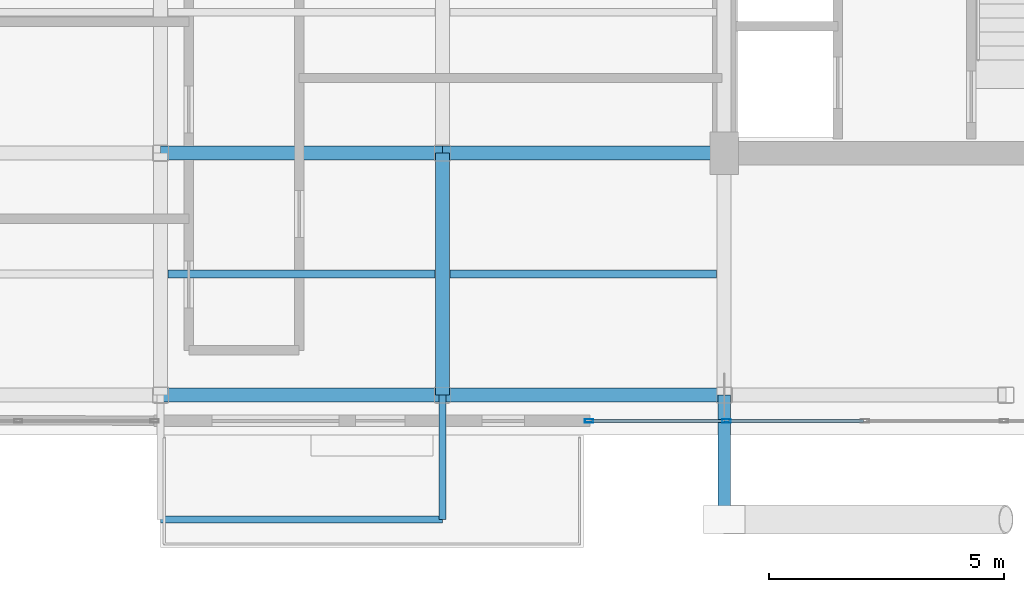
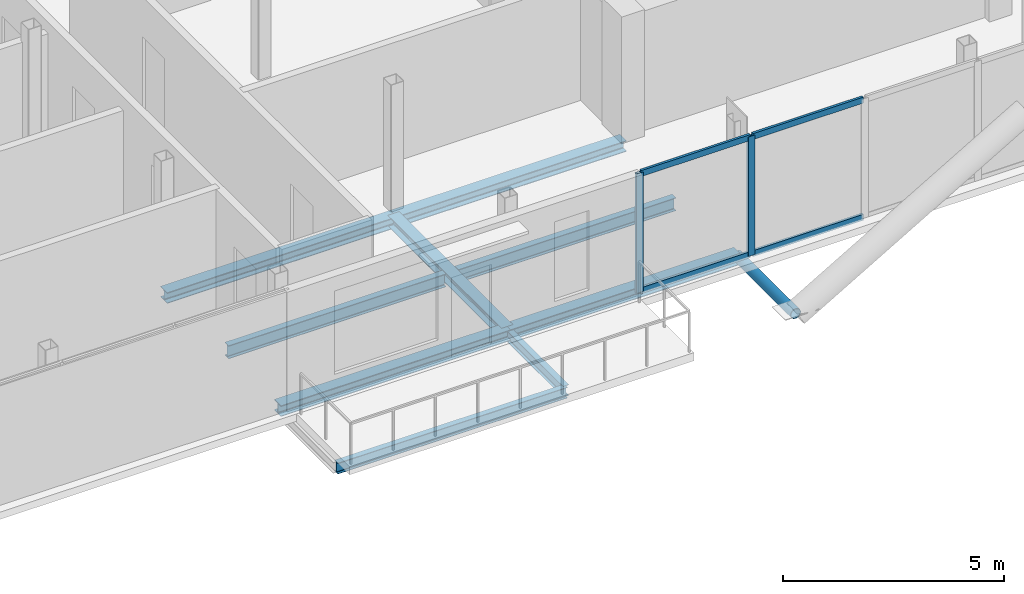
# One storey, part 4 of 18: 9 beams, 7 members, 1 element without a shape of its own.
"""IFC4 building model written with IfcOpenShell, lengths in metres."""

from ifc_helpers import new_model, si_unit, direction, frame, origin, origin_2d, place, context, subcontext, project, spatial, hollow_rectangle, hollow_circle, i_section, extrude, material, layer, layer_set, material_profile, profile_set, type_object, element, aggregate, save


model = new_model("IFC4")

# Units and contexts
model_context = context("Model", 3, precision=1e-05, world=origin(), true_north=direction((0.0, 1.0)))
body_context = subcontext(model_context, "Body", "Model", "MODEL_VIEW")
ifc_project = project(units=[si_unit("LENGTHUNIT", "METRE"), si_unit("AREAUNIT", "SQUARE_METRE"), si_unit("VOLUMEUNIT", "CUBIC_METRE"), si_unit("PLANEANGLEUNIT", "RADIAN"), si_unit("MASSUNIT", "GRAM", prefix="KILO"), si_unit("THERMODYNAMICTEMPERATUREUNIT", "KELVIN"), si_unit("POWERUNIT", "WATT")], contexts=[model_context])

# Site, building, storey
site_placement = place(None, origin())
site = spatial("IfcSite", under=ifc_project, at=site_placement, CompositionType="ELEMENT")
building_placement = place(site_placement, origin())
building = spatial("IfcBuilding", under=site, at=building_placement, Name="Svarakhadi Broadcast Tower", CompositionType="ELEMENT")
storey_placement = place(building_placement, frame((0.0, 0.0, 281.699951171875)))
storey = spatial("IfcBuildingStorey", under=building, at=storey_placement, Name="L71", CompositionType="ELEMENT", Elevation=281.699951171875)

# Beams
ifc_material_1 = material(Name="Steel S355J2 (IS 2062 E350C)", Category="steel")
ifc_material_profile_1 = material_profile(ifc_material_1, i_section(OverallWidth=0.169921875, OverallDepth=0.360107421875, WebThickness=0.008056640625, FlangeThickness=0.0126953125, FilletRadius=0.01806640625, at=origin_2d()), Name="NPB 360x170x57")
ifc_profile_set_1 = profile_set([ifc_material_profile_1], Name="Steel S355J2 (IS 2062 E350C)")
beam_type_1 = type_object("IfcBeamType", Name="Beam_NPB360", PredefinedType="BEAM", material=ifc_profile_set_1)
for number, where, z_axis, x_axis, name in (
    (1, (12.159912109375, 3.425048828125, -0.3798828125), (1.0, 0.0, 0.0), (0.0, 1.0, 0.0), "L71 Secondary Composite Beam SB007"),
    (2, (18.159912109375, 3.425048828125, -0.3798828125), (1.0, 0.0, 0.0), (0.0, 1.0, 0.0), "L71 Secondary Composite Beam SB010"),
):
    element("IfcBeam", number, at=place(storey_placement, frame(where, z_axis=z_axis, x_axis=x_axis)), inside=storey, type_object=beam_type_1, Name=name, PredefinedType="BEAM", context=body_context, shape_type="SweptSolid", body=[
        extrude(i_section(OverallWidth=0.169921875, OverallDepth=0.360107421875, WebThickness=0.008056640625, FlangeThickness=0.0126953125, FilletRadius=0.01806640625, at=origin_2d()), origin(), (0.0, 0.0, 1.0), 5.68017578125),
    ])

# Curtain wall, members
ifc_material_2 = material(Name="Anodised Bronze Aluminium AA 6063-T6", Category="aluminium")
ifc_layer = layer(ifc_material_2, 0.179931640625)
ifc_layer_set = layer_set([ifc_layer], Name="Anodised Bronze Aluminium AA 6063-T6")
curtain_wall_type = type_object("IfcCurtainWallType", Name="CW_Sys_05", PredefinedType="NOTDEFINED", material=ifc_layer_set)
curtain_wall_placement = place(storey_placement, origin())
curtain_wall = element("IfcCurtainWall", 3, at=curtain_wall_placement, inside=storey, type_object=curtain_wall_type, Name="L71 South Curtain Wall 16", PredefinedType="NOTDEFINED")
ifc_material_profile_2 = material_profile(ifc_material_2, hollow_rectangle(XDim=0.070068359375, YDim=0.179931640625, WallThickness=0.005615234375, at=origin_2d()), Name="ALU MULLION 180x70x6")
ifc_profile_set_2 = profile_set([ifc_material_profile_2], Name="Anodised Bronze Aluminium AA 6063-T6")
member_type_1 = type_object("IfcMemberType", Name="CW_Sys_05_Mul", PredefinedType="MULLION", material=ifc_profile_set_2)
member_1_placement = place(storey_placement, frame((24.044921875, 0.300048828125, 0.0), z_axis=(0.0, 0.0, 1.0), x_axis=(0.0, -1.0, 0.0)))
member_1 = element("IfcMember", 4, at=member_1_placement, type_object=member_type_1, Name="CW-05 mullion 4", PredefinedType="MULLION", context=body_context, shape_type="SweptSolid", body=[
    extrude(hollow_rectangle(XDim=0.070068359375, YDim=0.179931640625, WallThickness=0.005615234375, at=origin_2d()), origin(), (0.0, 0.0, 1.0), 3.300048828125),
])
member_2_placement = place(storey_placement, frame((21.125, 0.300048828125, 0.0), z_axis=(0.0, 0.0, 1.0), x_axis=(0.0, -1.0, 0.0)))
member_2 = element("IfcMember", 5, at=member_2_placement, type_object=member_type_1, Name="CW-05 mullion 5", PredefinedType="MULLION", context=body_context, shape_type="SweptSolid", body=[
    extrude(hollow_rectangle(XDim=0.070068359375, YDim=0.179931640625, WallThickness=0.005615234375, at=origin_2d()), origin(), (0.0, 0.0, 1.0), 3.300048828125),
])
ifc_material_profile_3 = material_profile(ifc_material_2, hollow_rectangle(XDim=0.06494140625, YDim=0.1650390625, WallThickness=0.0048828125, at=origin_2d()), Name="ALU TRANSOM 165x65x5")
ifc_profile_set_3 = profile_set([ifc_material_profile_3], Name="Anodised Bronze Aluminium AA 6063-T6")
member_type_2 = type_object("IfcMemberType", Name="CW_Sys_05_Trn", PredefinedType="USERDEFINED", material=ifc_profile_set_3)
member_3_placement = place(storey_placement, frame((26.965087890625, 0.300048828125, 0.032470703125), z_axis=(-1.0, 0.0, 0.0), x_axis=(0.0, -1.0, 0.0)))
member_3 = element("IfcMember", 6, at=member_3_placement, type_object=member_type_2, Name="CW-05 transom 3.1", ObjectType="TRANSOM", PredefinedType="USERDEFINED", context=body_context, shape_type="SweptSolid", body=[
    extrude(hollow_rectangle(XDim=0.06494140625, YDim=0.1650390625, WallThickness=0.0048828125, at=origin_2d()), origin(), (0.0, 0.0, 1.0), 2.885009765625),
])
member_4_placement = place(storey_placement, frame((26.965087890625, 0.300048828125, 3.267578125), z_axis=(-1.0, 0.0, 0.0), x_axis=(0.0, -1.0, 0.0)))
member_4 = element("IfcMember", 7, at=member_4_placement, type_object=member_type_2, Name="CW-05 transom 3.2", ObjectType="TRANSOM", PredefinedType="USERDEFINED", context=body_context, shape_type="SweptSolid", body=[
    extrude(hollow_rectangle(XDim=0.06494140625, YDim=0.1650390625, WallThickness=0.0048828125, at=origin_2d()), origin(), (0.0, 0.0, 1.0), 2.885009765625),
])
member_5_placement = place(storey_placement, frame((24.010009765625, 0.300048828125, 0.032470703125), z_axis=(-1.0, 0.0, 0.0), x_axis=(0.0, -1.0, 0.0)))
member_5 = element("IfcMember", 8, at=member_5_placement, type_object=member_type_2, Name="CW-05 transom 4.1", ObjectType="TRANSOM", PredefinedType="USERDEFINED", context=body_context, shape_type="SweptSolid", body=[
    extrude(hollow_rectangle(XDim=0.06494140625, YDim=0.1650390625, WallThickness=0.0048828125, at=origin_2d()), origin(), (0.0, 0.0, 1.0), 2.85009765625),
])
member_6_placement = place(storey_placement, frame((24.010009765625, 0.300048828125, 3.267578125), z_axis=(-1.0, 0.0, 0.0), x_axis=(0.0, -1.0, 0.0)))
member_6 = element("IfcMember", 9, at=member_6_placement, type_object=member_type_2, Name="CW-05 transom 4.2", ObjectType="TRANSOM", PredefinedType="USERDEFINED", context=body_context, shape_type="SweptSolid", body=[
    extrude(hollow_rectangle(XDim=0.06494140625, YDim=0.1650390625, WallThickness=0.0048828125, at=origin_2d()), origin(), (0.0, 0.0, 1.0), 2.85009765625),
])
aggregate(curtain_wall, [member_1, member_2, member_3, member_4, member_5, member_6])

# Member
ifc_material_3 = material(Name="Steel S460ML (IS 2062 E450BR)", Category="steel")
ifc_material_profile_4 = material_profile(ifc_material_3, hollow_circle(Radius=0.136474609375, WallThickness=0.012451171875, at=origin_2d()), Name="CHS 273x12.5")
ifc_profile_set_4 = profile_set([ifc_material_profile_4], Name="Steel S460ML (IS 2062 E450BR)")
member_type_3 = type_object("IfcMemberType", Name="Exo_Radial_Strut_Z3", PredefinedType="STRUT", material=ifc_profile_set_4)
member_7_placement = place(storey_placement, frame((24.0, -1.800048828125, -0.33642578125), z_axis=(0.0, 1.0, 0.0), x_axis=(-1.0, 0.0, 0.0)))
element("IfcMember", 10, at=member_7_placement, inside=storey, type_object=member_type_3, Name="L71 Exoskeleton Radial Tie Strut S01", PredefinedType="STRUT", context=body_context, shape_type="SweptSolid", body=[
    extrude(hollow_circle(Radius=0.136474609375, WallThickness=0.012451171875, at=origin_2d()), origin(), (0.0, 0.0, 1.0), 2.650146484375),
])

# Beams
ifc_material_profile_5 = material_profile(ifc_material_1, i_section(OverallWidth=0.300048828125, OverallDepth=0.300048828125, WebThickness=0.010986328125, FlangeThickness=0.01904296875, FilletRadius=0.027099609375, at=origin_2d()), Name="WPB 300x300x117")
ifc_profile_set_5 = profile_set([ifc_material_profile_5], Name="Steel S355J2 (IS 2062 E350C)")
beam_type_2 = type_object("IfcBeamType", Name="Girder_WPB300", PredefinedType="USERDEFINED", material=ifc_profile_set_5)
for number, where, z_axis, x_axis, name in (
    (11, (12.0, 0.85009765625, -0.349853515625), (1.0, 0.0, 0.0), (0.0, 1.0, 0.0), "L71 Primary E-W Girder G005"),
    (12, (18.0, 0.85009765625, -0.349853515625), (1.0, 0.0, 0.0), (0.0, 1.0, 0.0), "L71 Primary E-W Girder G006"),
    (13, (12.0, 6.0, -0.349853515625), (1.0, 0.0, 0.0), (0.0, 1.0, 0.0), "L71 Primary E-W Girder G010"),
    (14, (18.0, 6.0, -0.349853515625), (1.0, 0.0, 0.0), (0.0, 1.0, 0.0), "L71 Primary E-W Girder G011"),
):
    element("IfcBeam", number, at=place(storey_placement, frame(where, z_axis=z_axis, x_axis=x_axis)), inside=storey, type_object=beam_type_2, Name=name, ObjectType="GIRDER", PredefinedType="USERDEFINED", context=body_context, shape_type="SweptSolid", body=[
        extrude(i_section(OverallWidth=0.300048828125, OverallDepth=0.300048828125, WebThickness=0.010986328125, FlangeThickness=0.01904296875, FilletRadius=0.027099609375, at=origin_2d()), origin(), (0.0, 0.0, 1.0), 6.0),
    ])
beam_1_placement = place(storey_placement, frame((18.0, 0.85009765625, -0.349853515625), z_axis=(0.0, 1.0, 0.0), x_axis=(-1.0, 0.0, 0.0)))
element("IfcBeam", 15, at=beam_1_placement, inside=storey, type_object=beam_type_2, Name="L71 Primary N-S Girder G036", ObjectType="GIRDER", PredefinedType="USERDEFINED", context=body_context, shape_type="SweptSolid", body=[
    extrude(i_section(OverallWidth=0.300048828125, OverallDepth=0.300048828125, WebThickness=0.010986328125, FlangeThickness=0.01904296875, FilletRadius=0.027099609375, at=origin_2d()), origin(), (0.0, 0.0, 1.0), 5.14990234375),
])
ifc_material_profile_6 = material_profile(ifc_material_1, i_section(OverallWidth=0.14990234375, OverallDepth=0.300048828125, WebThickness=0.007080078125, FlangeThickness=0.0107421875, FilletRadius=0.014892578125, at=origin_2d()), Name="NPB 300x150x37")
ifc_profile_set_6 = profile_set([ifc_material_profile_6], Name="Steel S355J2 (IS 2062 E350C)")
beam_type_3 = type_object("IfcBeamType", Name="Spandrel_NPB300", PredefinedType="SPANDREL", material=ifc_profile_set_6)
beam_2_placement = place(storey_placement, frame((18.0, 0.85009765625, -0.375), z_axis=(0.0, -1.0, 0.0), x_axis=(1.0, 0.0, 0.0)))
element("IfcBeam", 16, at=beam_2_placement, inside=storey, type_object=beam_type_3, Name="L71 Balcony Cantilever Bracket 1B", PredefinedType="SPANDREL", context=body_context, shape_type="SweptSolid", body=[
    extrude(i_section(OverallWidth=0.14990234375, OverallDepth=0.300048828125, WebThickness=0.007080078125, FlangeThickness=0.0107421875, FilletRadius=0.014892578125, at=origin_2d()), origin(), (0.0, 0.0, 1.0), 2.650146484375),
])
beam_3_placement = place(storey_placement, frame((12.0, -1.800048828125, -0.375), z_axis=(1.0, 0.0, 0.0), x_axis=(0.0, 1.0, 0.0)))
element("IfcBeam", 17, at=beam_3_placement, inside=storey, type_object=beam_type_3, Name="L71 Balcony Outer Spandrel 1F", PredefinedType="SPANDREL", context=body_context, shape_type="SweptSolid", body=[
    extrude(i_section(OverallWidth=0.14990234375, OverallDepth=0.300048828125, WebThickness=0.007080078125, FlangeThickness=0.0107421875, FilletRadius=0.014892578125, at=origin_2d()), origin(), (0.0, 0.0, 1.0), 6.0),
])

save(model, "model.ifc")
